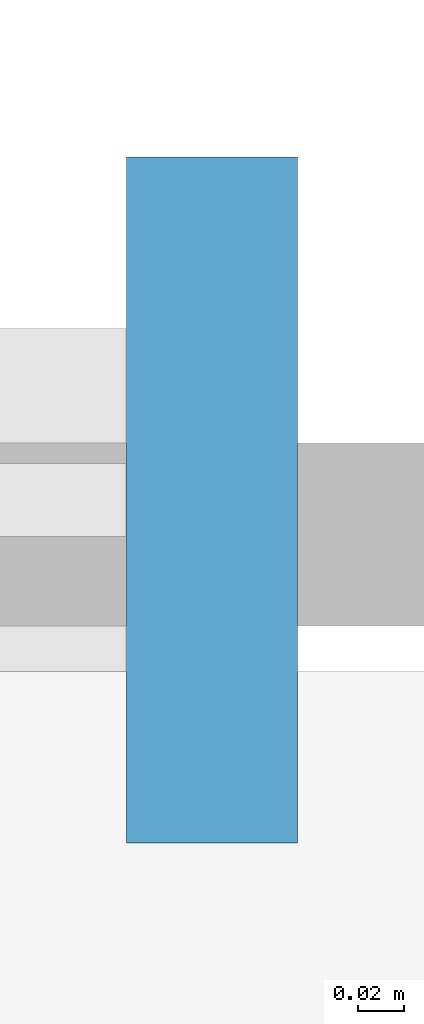
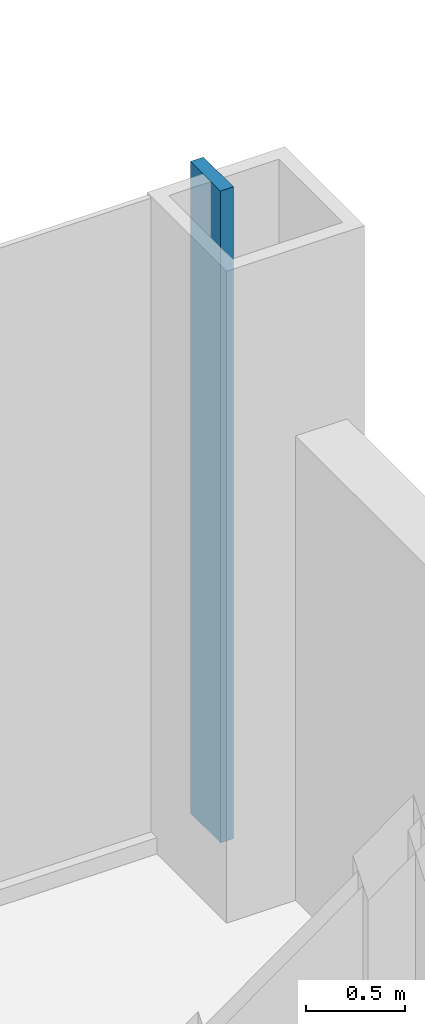
# One storey, part 5 of 17: 1 member, 1 element without a shape of its own.
"""IFC4 building model written with IfcOpenShell, lengths in metres."""

import ifcopenshell
import ifcopenshell.guid

model = None  # the IFC model being written
_history = None  # IfcOwnerHistory: only IFC2X3 demands one
_inside = {}  # id of a spatial element -> (the spatial element, [elements in it])
_under = {}  # id of a project, library or spatial element -> (it, [spatial elements below it])
_declared = {}  # id of a project -> (the project, [libraries it declares])
_typed = {}  # id of a type object -> (the type object, [elements of that type])
_made_of = {}  # id of a material, layer set ... -> (it, [elements and type objects made of it])


def new_model(schema):
    """Start an empty IFC model of exactly this schema.

    Asked for "IFC4X3", IfcOpenShell would pick the latest addendum, in which some entities
    have other attributes; the version numbers below select the first issue.
    IFC2X3 requires an IfcOwnerHistory on every rooted entity: one is made here for all.
    """
    global model, _history
    if schema == "IFC4X3":
        model = ifcopenshell.file(schema_version=(4, 3, 0, 0))
    else:
        model = ifcopenshell.file(schema=schema)
    _inside.clear()
    _under.clear()
    _declared.clear()
    _typed.clear()
    _made_of.clear()
    _history = None
    if model.schema == "IFC2X3":
        org = make("IfcOrganization", Name="unknown")
        user = make(
            "IfcPersonAndOrganization",
            ThePerson=make("IfcPerson", FamilyName="unknown"),
            TheOrganization=org,
        )
        app = make(
            "IfcApplication",
            ApplicationDeveloper=org,
            Version="unknown",
            ApplicationFullName="unknown",
            ApplicationIdentifier="unknown",
        )
        _history = make(
            "IfcOwnerHistory",
            OwningUser=user,
            OwningApplication=app,
            ChangeAction="ADDED",
            CreationDate=0,
        )
    return model


def make(cls, **values):
    """One entity of the class cls with the attributes given. An attribute that is None is left unset."""
    return model.create_entity(
        cls, **{name: value for name, value in values.items() if value is not None}
    )


def rooted(cls, **values):
    """An entity with a GlobalId (a new one), such as an element, a storey or a relation."""
    return make(cls, GlobalId=ifcopenshell.guid.new(), OwnerHistory=_history, **values)


def si_unit(unit_type, name, prefix=None):
    """IfcSIUnit, for example si_unit("LENGTHUNIT", "METRE", prefix="MILLI")."""
    return make("IfcSIUnit", UnitType=unit_type, Prefix=prefix, Name=name)


def assignment(units):
    """IfcUnitAssignment: the units of a project."""
    return None if units is None else make("IfcUnitAssignment", Units=units)


def point(xyz):
    """IfcCartesianPoint."""
    return None if xyz is None else make("IfcCartesianPoint", Coordinates=xyz)


def direction(xyz):
    """IfcDirection."""
    return None if xyz is None else make("IfcDirection", DirectionRatios=xyz)


def frame(location, z_axis=None, x_axis=None):
    """IfcAxis2Placement3D, a coordinate frame: its origin and axes. An axis left out is left unset."""
    return make(
        "IfcAxis2Placement3D",
        Location=point(location),
        Axis=direction(z_axis),
        RefDirection=direction(x_axis),
    )


def frame_2d(location, x_axis=None):
    """IfcAxis2Placement2D, a coordinate frame in the plane: its origin and x axis."""
    return make(
        "IfcAxis2Placement2D", Location=point(location), RefDirection=direction(x_axis)
    )


def origin():
    """The frame at (0, 0, 0) with its axes left unset."""
    return frame((0.0, 0.0, 0.0))


def origin_2d():
    """The frame at (0, 0) in the plane with its x axis left unset."""
    return frame_2d((0.0, 0.0))


def place(relative_to, where):
    """IfcLocalPlacement: puts the frame where relative to a parent placement (None: the world)."""
    return make(
        "IfcLocalPlacement", PlacementRelTo=relative_to, RelativePlacement=where
    )


def context(
    kind, dimensions, precision=None, world=None, true_north=None, identifier=None
):
    """IfcGeometricRepresentationContext, for example the 3D "Model" context."""
    return make(
        "IfcGeometricRepresentationContext",
        ContextIdentifier=identifier,
        ContextType=kind,
        CoordinateSpaceDimension=dimensions,
        Precision=precision,
        WorldCoordinateSystem=world,
        TrueNorth=true_north,
    )


def subcontext(parent, identifier, kind, view, scale=None):
    """IfcGeometricRepresentationSubContext, for example "Body" below "Model"."""
    return make(
        "IfcGeometricRepresentationSubContext",
        ContextIdentifier=identifier,
        ContextType=kind,
        ParentContext=parent,
        TargetScale=scale,
        TargetView=view,
    )


def project(units=None, contexts=None):
    """IfcProject with its units and contexts."""
    return rooted(
        "IfcProject",
        Name="project",
        RepresentationContexts=contexts,
        UnitsInContext=assignment(units),
    )


def spatial(cls, under=None, at=None, **own):
    """A site, building, storey or space (cls), placed at a placement, below another one or the project."""
    s = rooted(cls, ObjectPlacement=at, **own)
    if under is not None:
        _under.setdefault(under.id(), (under, []))[1].append(s)
    return s


def profile(cls, at=None, kind="AREA", **sizes):
    """A parametric profile (cls). Its sizes go by their IFC names, for example OverallWidth=200.0."""
    return make(cls, ProfileType=kind, Position=at, **sizes)


def rectangle(**sizes):
    """IfcRectangleProfileDef."""
    return profile("IfcRectangleProfileDef", **sizes)


def extrude(swept, where, along, depth):
    """IfcExtrudedAreaSolid: the profile swept, set in the frame where, extruded along a direction by depth."""
    return make(
        "IfcExtrudedAreaSolid",
        SweptArea=swept,
        Position=where,
        ExtrudedDirection=direction(along),
        Depth=depth,
    )


def shape(context_of_items, identifier, shape_type, items):
    """IfcShapeRepresentation: the items that make up one representation, for example the "Body"."""
    return make(
        "IfcShapeRepresentation",
        ContextOfItems=context_of_items,
        RepresentationIdentifier=identifier,
        RepresentationType=shape_type,
        Items=items,
    )


def material(Name=None, Category=None):
    """IfcMaterial."""
    return make("IfcMaterial", Name=Name, Category=Category)


def layer(
    of_material, thickness, ventilated=None, Name=None, Category=None, Priority=None
):
    """IfcMaterialLayer: one layer of a wall or slab, of a material (None: an air gap)."""
    return make(
        "IfcMaterialLayer",
        Material=of_material,
        LayerThickness=thickness,
        IsVentilated=ventilated,
        Name=Name,
        Category=Category,
        Priority=Priority,
    )


def layer_set(layers, Name=None):
    """IfcMaterialLayerSet."""
    return make("IfcMaterialLayerSet", MaterialLayers=layers, LayerSetName=Name)


def material_profile(
    of_material, cross_section, Name=None, Category=None, Priority=None
):
    """IfcMaterialProfile: a cross section and its material."""
    return make(
        "IfcMaterialProfile",
        Name=Name,
        Material=of_material,
        Profile=cross_section,
        Priority=Priority,
        Category=Category,
    )


def profile_set(profiles, Name=None, composite=None):
    """IfcMaterialProfileSet."""
    return make(
        "IfcMaterialProfileSet",
        Name=Name,
        MaterialProfiles=profiles,
        CompositeProfile=composite,
    )


def made_of(thing, what):
    """Note that an element or type object is made of a material, layer set ...; save() writes the relation."""
    if what is not None:
        _made_of.setdefault(what.id(), (what, []))[1].append(thing)
    return thing


def type_object(cls, material=None, **own):
    """A type object (cls), such as IfcWallType, which elements share."""
    return made_of(rooted(cls, **own), material)


def element(
    cls,
    number,
    at=None,
    inside=None,
    cuts=None,
    type_object=None,
    material=None,
    context=None,
    identifier="Body",
    shape_type=None,
    held_by="IfcProductDefinitionShape",
    body=None,
    shapes=None,
    **own,
):
    """One element of the class cls, such as IfcWall. Its Tag is "e" and its number.

    at: its placement. inside: the storey or other place that contains it. cuts: it is an
    opening in that element (IfcRelVoidsElement). A single representation is given by context,
    identifier, shape_type and body (its items); several are given by shapes. held_by: the class
    of the entity that holds the representations. save() writes the other relations.
    """
    e = rooted(cls, Tag="e%d" % number, ObjectPlacement=at, **own)
    if body is not None:
        shapes = [shape(context, identifier, shape_type, body)]
    if shapes is not None:
        e.Representation = make(held_by, Representations=shapes)
    if inside is not None:
        _inside.setdefault(inside.id(), (inside, []))[1].append(e)
    if cuts is not None:
        rooted(
            "IfcRelVoidsElement", RelatingBuildingElement=cuts, RelatedOpeningElement=e
        )
    if type_object is not None:
        _typed.setdefault(type_object.id(), (type_object, []))[1].append(e)
    return made_of(e, material)


def aggregate(whole, parts):
    """IfcRelAggregates: a whole, such as a stair, and the parts it consists of."""
    return rooted("IfcRelAggregates", RelatingObject=whole, RelatedObjects=parts)


def save(model, path):
    """Write the relations noted so far, then the file.

    IfcRelAggregates (storeys below a building ...), IfcRelContainedInSpatialStructure (elements
    in a storey), IfcRelDefinesByType, IfcRelAssociatesMaterial and IfcRelDeclares: one each for
    every whole, place, type object, material and project.
    """
    for whole, parts in _under.values():
        aggregate(whole, parts)
    for where, things in _inside.values():
        rooted(
            "IfcRelContainedInSpatialStructure",
            RelatedElements=things,
            RelatingStructure=where,
        )
    for kind, things in _typed.values():
        rooted("IfcRelDefinesByType", RelatedObjects=things, RelatingType=kind)
    for what, things in _made_of.values():
        rooted("IfcRelAssociatesMaterial", RelatedObjects=things, RelatingMaterial=what)
    for by, libraries in _declared.values():
        rooted("IfcRelDeclares", RelatingContext=by, RelatedDefinitions=libraries)
    model.write(path)


model = new_model("IFC4")

# Units and contexts
model_context = context("Model", 3, precision=1e-05, world=origin(), true_north=direction((0.0, 1.0)))
body_context = subcontext(model_context, "Body", "Model", "MODEL_VIEW")
ifc_project = project(units=[si_unit("LENGTHUNIT", "METRE"), si_unit("AREAUNIT", "SQUARE_METRE"), si_unit("VOLUMEUNIT", "CUBIC_METRE"), si_unit("PLANEANGLEUNIT", "RADIAN"), si_unit("MASSUNIT", "GRAM", prefix="KILO")], contexts=[model_context])

# Site, building, storey
site_placement = place(None, origin())
site = spatial("IfcSite", under=ifc_project, at=site_placement, CompositionType="ELEMENT")
building_placement = place(site_placement, origin())
building = spatial("IfcBuilding", under=site, at=building_placement, Name="Malebo Sky Hospital", CompositionType="ELEMENT")
storey_placement = place(building_placement, frame((0.0, 0.0, 189.0)))
storey = spatial("IfcBuildingStorey", under=building, at=storey_placement, Name="L45", CompositionType="ELEMENT", Elevation=189.0)

# Curtain wall, member
ifc_material = material(Name="Anodised aluminium, natural silver", Category="aluminium")
ifc_layer = layer(ifc_material, 0.25)
ifc_layer_set = layer_set([ifc_layer], Name="WARD CURTAIN WALL NORTH AND SOUTH")
curtain_wall_type = type_object("IfcCurtainWallType", Name="WARD CURTAIN WALL NORTH AND SOUTH", PredefinedType="NOTDEFINED", material=ifc_layer_set)
curtain_wall_placement = place(storey_placement, origin())
curtain_wall = element("IfcCurtainWall", 1, at=curtain_wall_placement, inside=storey, type_object=curtain_wall_type, Name="NS curtain wall N", PredefinedType="NOTDEFINED")
ifc_material_profile = material_profile(ifc_material, rectangle(XDim=0.074951171875, YDim=0.300048828125, at=origin_2d()), Name="CW1 ALUMINIUM FIN MULLION 75x300")
ifc_profile_set = profile_set([ifc_material_profile], Name="Anodised aluminium, natural silver")
member_type = type_object("IfcMemberType", Name="CW1 ALUMINIUM FIN MULLION 75x300", PredefinedType="MULLION", material=ifc_profile_set)
member_placement = place(storey_placement, frame((77.66259765625, 84.574951171875, 0.0), z_axis=(0.0, 0.0, 1.0), x_axis=(1.0, 0.0, 0.0)))
member = element("IfcMember", 2, at=member_placement, type_object=member_type, Name="Fin mullion 14", PredefinedType="MULLION", context=body_context, shape_type="SweptSolid", body=[
    extrude(rectangle(XDim=0.074951171875, YDim=0.300048828125, at=origin_2d()), origin(), (0.0, 0.0, 1.0), 4.0),
])
aggregate(curtain_wall, [member])

save(model, "model.ifc")
